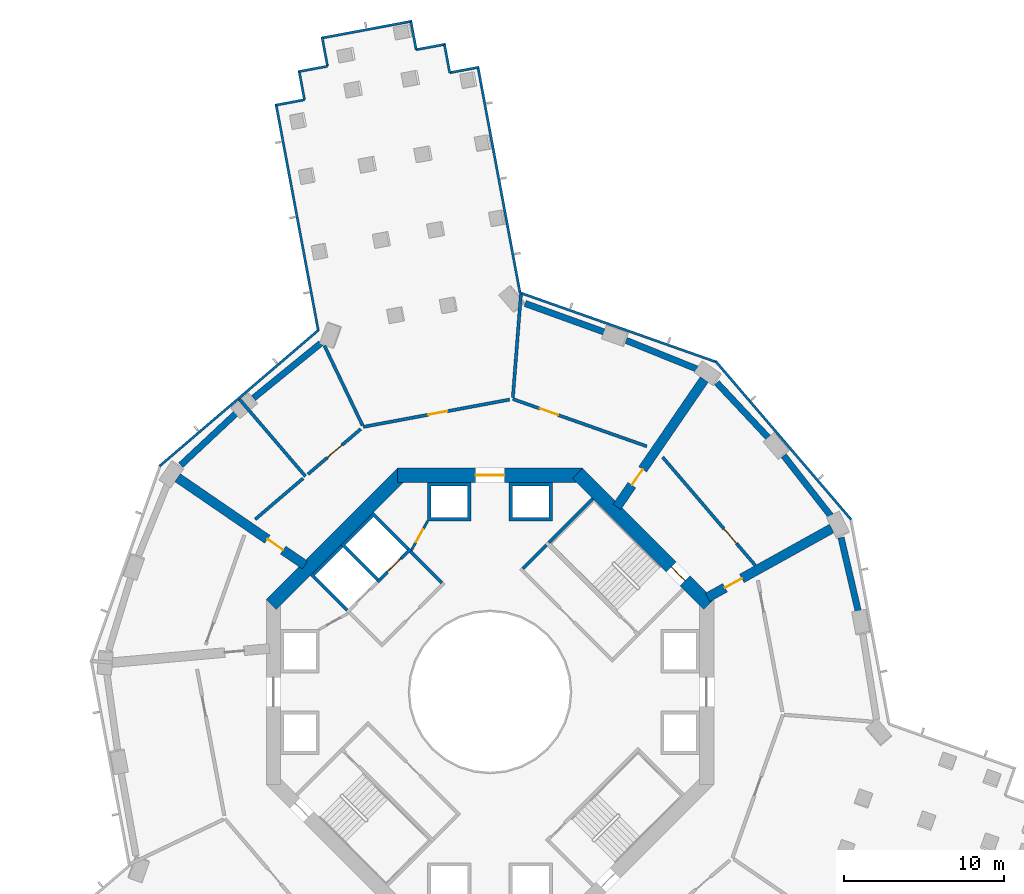
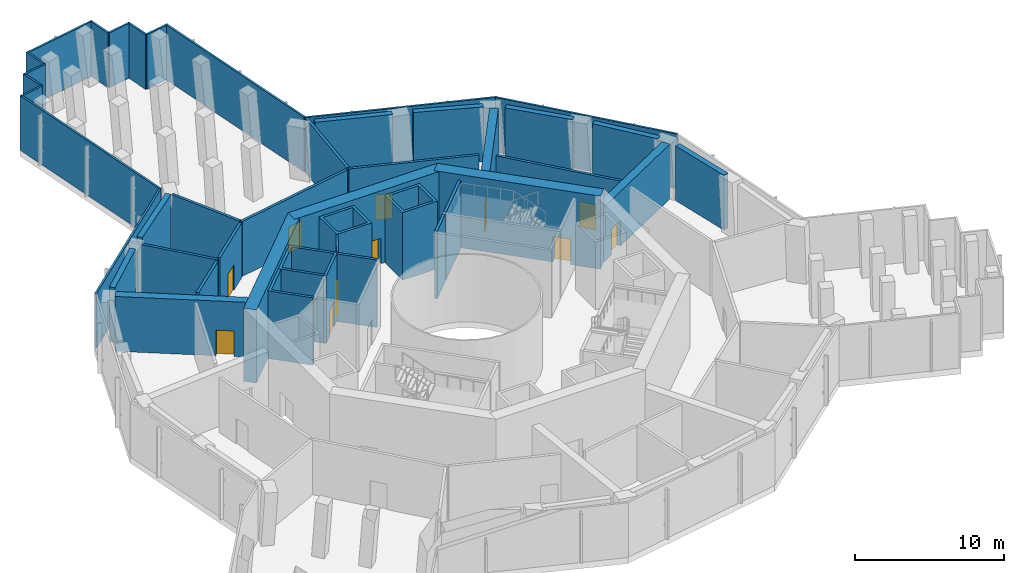
# One storey, part 5 of 20: 44 walls, 11 doors, 11 openings.
"""IFC4 building model written with IfcOpenShell, lengths in metres."""

from ifc_helpers import new_model, si_unit, direction, frame, frame_2d, origin, place, context, subcontext, project, spatial, polyline, rectangle, outline, extrude, material, layer, layer_set, type_object, element, fill, save


model = new_model("IFC4")

# Units and contexts
model_context = context("Model", 3, precision=1e-05, world=origin(), true_north=direction((0.0, 1.0)))
body_context = subcontext(model_context, "Body", "Model", "MODEL_VIEW")
ifc_project = project(units=[si_unit("LENGTHUNIT", "METRE"), si_unit("AREAUNIT", "SQUARE_METRE"), si_unit("VOLUMEUNIT", "CUBIC_METRE"), si_unit("PLANEANGLEUNIT", "RADIAN"), si_unit("MASSUNIT", "GRAM", prefix="KILO")], contexts=[model_context])

# Site, building, storey
site_placement = place(None, origin())
site = spatial("IfcSite", under=ifc_project, at=site_placement, CompositionType="ELEMENT")
building_placement = place(site_placement, origin())
building = spatial("IfcBuilding", under=site, at=building_placement, Name="Verdalira Terraces Hotel", CompositionType="ELEMENT")
storey_placement = place(building_placement, frame((0.0, 0.0, 75.0)))
storey = spatial("IfcBuildingStorey", under=building, at=storey_placement, Name="L17", CompositionType="ELEMENT", Elevation=75.0)

# Walls
ifc_material_1 = material(Name="Concrete C70", Category="concrete")
ifc_layer_1 = layer(ifc_material_1, 0.39990234375)
ifc_layer_set_1 = layer_set([ifc_layer_1], Name="Belt wall 400 C70")
wall_type_1 = type_object("IfcWallType", Name="Belt wall 400 C70", PredefinedType="SHEAR", material=ifc_layer_set_1)
wall_1_placement = place(storey_placement, frame((-10.587891, 21.815674, 0.0), z_axis=(0.0, 0.0, 1.0), x_axis=(-0.775345008, -0.6315379, 0.0)))
element("IfcWall", 1, at=wall_1_placement, inside=storey, type_object=wall_type_1, Name="Belt wall BW-17-1", PredefinedType="SHEAR", context=body_context, shape_type="SweptSolid", body=[
    extrude(rectangle(XDim=5.432617, YDim=0.399902, at=frame_2d((2.716309, 0.0))), origin(), (0.0, 0.0, 1.0), 4.5),
])
for number, where, z_axis, x_axis, name in (
    (2, (-15.876221, 17.444092, 0.0), (0.0, 0.0, 1.0), (-0.729873203, -0.683582553, 0.0), "Belt wall BW-17-2"),
    (3, (23.045166, 5.0271, 0.0), (0.0, 0.0, 1.0), (-0.227085229, 0.973874889, 0.0), "Belt wall BW-17-14"),
):
    element("IfcWall", number, at=place(storey_placement, frame(where, z_axis=z_axis, x_axis=x_axis)), inside=storey, type_object=wall_type_1, Name=name, PredefinedType="SHEAR", context=body_context, shape_type="SweptSolid", body=[
        extrude(rectangle(XDim=4.757324, YDim=0.399902, at=frame_2d((2.378662, 0.0))), origin(), (0.0, 0.0, 1.0), 4.5),
    ])
wall_2_placement = place(storey_placement, frame((21.307129, 11.0354, 0.0), z_axis=(0.0, 0.0, 1.0), x_axis=(-0.615609183, 0.788051606, 0.0)))
element("IfcWall", 4, at=wall_2_placement, inside=storey, type_object=wall_type_1, Name="Belt wall BW-17-15", PredefinedType="SHEAR", context=body_context, shape_type="SweptSolid", body=[
    extrude(rectangle(XDim=4.75708, YDim=0.399902, at=frame_2d((2.378418, 0.0))), origin(), (0.0, 0.0, 1.0), 4.5),
])
for number, where, z_axis, x_axis, name in (
    (5, (17.444092, 15.876221, 0.0), (0.0, 0.0, 1.0), (-0.683582553, 0.729873203, 0.0), "Belt wall BW-17-16"),
    (6, (12.935059, 20.210449, 0.0), (0.0, 0.0, 1.0), (-0.927150657, 0.374688749, 0.0), "Belt wall BW-17-17"),
):
    element("IfcWall", number, at=place(storey_placement, frame(where, z_axis=z_axis, x_axis=x_axis)), inside=storey, type_object=wall_type_1, Name=name, PredefinedType="SHEAR", context=body_context, shape_type="SweptSolid", body=[
        extrude(rectangle(XDim=4.757324, YDim=0.399902, at=frame_2d((2.378662, 0.0))), origin(), (0.0, 0.0, 1.0), 4.5),
    ])
wall_3_placement = place(storey_placement, frame((7.195801, 22.501221, 0.0), z_axis=(0.0, 0.0, 1.0), x_axis=(-0.940526573, 0.339720128, 0.0)))
element("IfcWall", 7, at=wall_3_placement, inside=storey, type_object=wall_type_1, Name="Belt wall BW-17-18", PredefinedType="SHEAR", context=body_context, shape_type="SweptSolid", body=[
    extrude(rectangle(XDim=5.312256, YDim=0.399902, at=frame_2d((2.65625, 0.0))), origin(), (0.0, 0.0, 1.0), 4.5),
])
ifc_material_2 = material(Name="Concrete C50", Category="concrete")
ifc_layer_2 = layer(ifc_material_2, 0.199951171875)
ifc_layer_set_2 = layer_set([ifc_layer_2], Name="Core RC wall 200 C50")
wall_type_2 = type_object("IfcWallType", Name="Core RC wall 200 C50", PredefinedType="SOLIDWALL", material=ifc_layer_set_2)
wall_4_placement = place(storey_placement, origin())
element("IfcWall", 8, at=wall_4_placement, inside=storey, type_object=wall_type_2, Name="L17 shaft wall N1", PredefinedType="SOLIDWALL", context=body_context, shape_type="SweptSolid", body=[
    extrude(outline(polyline([(1.199951, 13.100098), (3.899902, 13.100098), (3.899902, 10.699951), (1.199951, 10.699951), (1.199951, 13.100098)]), holes=[polyline([(3.699951, 10.899902), (3.699951, 12.899902), (1.399902, 12.899902), (1.399902, 10.899902), (3.699951, 10.899902)])]), origin(), (0.0, 0.0, 1.0), 5.550049),
])
wall_5_placement = place(storey_placement, origin())
element("IfcWall", 9, at=wall_5_placement, inside=storey, type_object=wall_type_2, Name="L17 shaft wall N2", PredefinedType="SOLIDWALL", context=body_context, shape_type="SweptSolid", body=[
    extrude(outline(polyline([(-3.899902, 10.699951), (-3.899902, 13.100098), (-1.199951, 13.100098), (-1.199951, 10.699951), (-3.899902, 10.699951)]), holes=[polyline([(-1.399902, 12.899902), (-3.699951, 12.899902), (-3.699951, 10.899902), (-1.399902, 10.899902), (-1.399902, 12.899902)])]), origin(), (0.0, 0.0, 1.0), 5.550049),
])
wall_6_placement = place(storey_placement, origin())
element("IfcWall", 10, at=wall_6_placement, inside=storey, type_object=wall_type_2, Name="L17 shaft wall F1", PredefinedType="SOLIDWALL", context=body_context, shape_type="SweptSolid", body=[
    extrude(outline(polyline([(-9.33374, 9.192383), (-7.283203, 11.24292), (-5.055908, 9.015625), (-5.197266, 8.874268), (-7.283203, 10.960205), (-9.051025, 9.192383), (-6.965088, 7.106445), (-7.106445, 6.965088), (-9.33374, 9.192383)])), origin(), (0.0, 0.0, 1.0), 5.550049),
])

# Wall, opening, door
wall_7_placement = place(storey_placement, frame((-4.985107, 8.944824, 0.0), z_axis=(0.0, 0.0, 1.0), x_axis=(-0.707106781, -0.707106781, 0.0)))
wall_7 = element("IfcWall", 11, at=wall_7_placement, inside=storey, type_object=wall_type_2, Name="L17 shaft front wall F1", PredefinedType="SOLIDWALL", context=body_context, shape_type="SweptSolid", body=[
    extrude(rectangle(XDim=2.899902, YDim=0.199951, at=frame_2d((1.449951, 0.0))), origin(), (0.0, 0.0, 1.0), 5.550049),
])
opening_1_placement = place(wall_7_placement, frame((0.850098, 0.0, 0.0)))
opening_1 = element("IfcOpeningElement", 12, at=opening_1_placement, cuts=wall_7, Name="Opening LD-L17-801", PredefinedType="OPENING", context=body_context, shape_type="SweptSolid", body=[
    extrude(rectangle(XDim=1.199951, YDim=2.100098, at=frame_2d((0.600098, 1.050049))), frame((0.0, 0.109863, 0.0), z_axis=(0.0, -1.0, 0.0), x_axis=(1.0, 0.0, 0.0)), (0.0, 0.0, 1.0), 0.219971),
])
ifc_material_3 = material(Name="Stainless steel", Category="steel")
door_type_1 = type_object("IfcDoorType", Name="Landing door 1200 x 2100", OperationType="NOTDEFINED", PredefinedType="DOOR", material=ifc_material_3)
door_1_placement = place(opening_1_placement, origin())
door_1 = element("IfcDoor", 13, at=door_1_placement, inside=storey, type_object=door_type_1, Name="Lift landing door LF11 L17", OperationType="DOUBLE_DOOR_SLIDING", OverallHeight=2.10009765625, OverallWidth=1.199951171875, PredefinedType="DOOR", context=body_context, shape_type="SweptSolid", body=[
    extrude(rectangle(XDim=1.199951, YDim=2.100098, at=frame_2d((0.600098, 1.050049))), frame((0.0, 0.024902, 0.0), z_axis=(0.0, -1.0, 0.0), x_axis=(1.0, 0.0, 0.0)), (0.0, 0.0, 1.0), 0.050049),
])
fill(opening_1, door_1)

# Walls
wall_8_placement = place(storey_placement, origin())
element("IfcWall", 14, at=wall_8_placement, inside=storey, type_object=wall_type_2, Name="L17 shaft wall F2", PredefinedType="SOLIDWALL", context=body_context, shape_type="SweptSolid", body=[
    extrude(outline(polyline([(-11.24292, 7.283203), (-9.33374, 9.192383), (-9.192383, 9.051025), (-10.960205, 7.283203), (-8.874268, 5.197266), (-9.015625, 5.055908), (-11.24292, 7.283203)])), origin(), (0.0, 0.0, 1.0), 5.550049),
])
wall_9_placement = place(storey_placement, frame((3.677002, 9.33374, 0.0), z_axis=(0.0, 0.0, 1.0), x_axis=(0.707106781, 0.707106781, 0.0)))
element("IfcWall", 15, at=wall_9_placement, inside=storey, type_object=wall_type_2, Name="L17 stair ST1 end wall 2", PredefinedType="SOLIDWALL", context=body_context, shape_type="SweptSolid", body=[
    extrude(rectangle(XDim=3.900146, YDim=0.199951, at=frame_2d((1.950195, 0.0))), origin(), (0.0, 0.0, 1.0), 5.550049),
])
wall_10_placement = place(storey_placement, frame((-3.005127, 6.823486, 0.0), z_axis=(0.0, 0.0, 1.0), x_axis=(-0.707106781, 0.707106781, 0.0)))
element("IfcWall", 16, at=wall_10_placement, inside=storey, type_object=wall_type_2, Name="L17 fire lobby wall", PredefinedType="SOLIDWALL", context=body_context, shape_type="SweptSolid", body=[
    extrude(rectangle(XDim=2.800049, YDim=0.199951, at=frame_2d((1.399902, 0.0))), origin(), (0.0, 0.0, 1.0), 5.550049),
])
wall_11_placement = place(storey_placement, frame((2.050537, 7.70752, 0.0), z_axis=(0.0, 0.0, 1.0), x_axis=(0.707106781, 0.707106781, 0.0)))
element("IfcWall", 17, at=wall_11_placement, inside=storey, type_object=wall_type_2, Name="Stair lobby wall ST1 L17", PredefinedType="SOLIDWALL", context=body_context, shape_type="SweptSolid", body=[
    extrude(rectangle(XDim=2.099854, YDim=0.199951, at=frame_2d((1.049805, 0.0))), origin(), (0.0, 0.0, 1.0), 5.550049),
])

# Wall, opening, door
ifc_material_4 = material(Name="Gypsum board partition")
ifc_layer_3 = layer(ifc_material_4, 0.14990234375)
ifc_layer_set_3 = layer_set([ifc_layer_3], Name="Core partition 150 mm")
wall_type_3 = type_object("IfcWallType", Name="Core partition 150 mm", PredefinedType="PARTITIONING", material=ifc_layer_set_3)
wall_12_placement = place(storey_placement, frame((-3.899902, 10.699951, 0.0), z_axis=(0.0, 0.0, 1.0), x_axis=(-0.485692555, -0.874129705, 0.0)))
wall_12 = element("IfcWall", 18, at=wall_12_placement, inside=storey, type_object=wall_type_3, Name="Room partition L17", PredefinedType="PARTITIONING", context=body_context, shape_type="SweptSolid", body=[
    extrude(rectangle(XDim=2.088623, YDim=0.149902, at=frame_2d((1.044434, 0.0))), origin(), (0.0, 0.0, 1.0), 5.550049),
])
opening_2_placement = place(wall_12_placement, frame((0.594238, 0.0, 0.0)))
opening_2 = element("IfcOpeningElement", 19, at=opening_2_placement, cuts=wall_12, Name="Opening L17-814", PredefinedType="OPENING", context=body_context, shape_type="SweptSolid", body=[
    extrude(rectangle(XDim=0.899902, YDim=2.100098, at=frame_2d((0.449951, 1.050049))), frame((0.0, 0.084961, 0.0), z_axis=(0.0, -1.0, 0.0), x_axis=(1.0, 0.0, 0.0)), (0.0, 0.0, 1.0), 0.169922),
])
ifc_material_5 = material(Name="Steel fire door", Category="steel")
door_type_2 = type_object("IfcDoorType", Name="Core room door 900 x 2100", OperationType="NOTDEFINED", PredefinedType="DOOR", material=ifc_material_5)
door_2_placement = place(opening_2_placement, origin())
door_2 = element("IfcDoor", 20, at=door_2_placement, inside=storey, type_object=door_type_2, Name="Door L17 room2", OperationType="SINGLE_SWING_LEFT", OverallHeight=2.10009765625, OverallWidth=0.89990234375, PredefinedType="DOOR", context=body_context, shape_type="SweptSolid", body=[
    extrude(rectangle(XDim=0.899902, YDim=2.100098, at=frame_2d((0.449951, 1.050049))), frame((0.0, 0.024902, 0.0), z_axis=(0.0, -1.0, 0.0), x_axis=(1.0, 0.0, 0.0)), (0.0, 0.0, 1.0), 0.050049),
])
fill(opening_2, door_2)

ifc_material_6 = material(Name="Concrete C70", Category="concrete")
ifc_layer_4 = layer(ifc_material_6, 0.89990234375)
ifc_layer_set_4 = layer_set([ifc_layer_4], Name="Core wall 900 C70")
wall_type_4 = type_object("IfcWallType", Name="Core wall 900 C70", PredefinedType="SHEAR", material=ifc_layer_set_4)
wall_13_placement = place(storey_placement, frame((13.681885, 5.480713, 0.0), z_axis=(0.0, 0.0, 1.0), x_axis=(-0.707106781, 0.707106781, 0.0)))
wall_13 = element("IfcWall", 21, at=wall_13_placement, inside=storey, type_object=wall_type_4, Name="Core wall CW-L17-2", PredefinedType="SHEAR", context=body_context, shape_type="SweptSolid", body=[
    extrude(rectangle(XDim=11.598145, YDim=0.899902, at=frame_2d((5.799072, 0.0))), origin(), (0.0, 0.0, 1.0), 6.0),
])
opening_3_placement = place(wall_13_placement, frame((2.099121, 0.0, 0.0)))
opening_3 = element("IfcOpeningElement", 22, at=opening_3_placement, cuts=wall_13, Name="Opening L17-810", PredefinedType="OPENING", context=body_context, shape_type="SweptSolid", body=[
    extrude(rectangle(XDim=1.199951, YDim=2.100098, at=frame_2d((0.600098, 1.050049))), frame((0.0, 0.459961, 0.0), z_axis=(0.0, -1.0, 0.0), x_axis=(1.0, 0.0, 0.0)), (0.0, 0.0, 1.0), 0.919922),
])
ifc_material_7 = material(Name="Steel fire door", Category="steel")
door_type_3 = type_object("IfcDoorType", Name="Stair door 1200 x 2100", OperationType="NOTDEFINED", PredefinedType="DOOR", material=ifc_material_7)
door_3_placement = place(opening_3_placement, origin())
door_3 = element("IfcDoor", 23, at=door_3_placement, inside=storey, type_object=door_type_3, Name="Stair exit door ST1 L17", OperationType="SINGLE_SWING_LEFT", OverallHeight=2.10009765625, OverallWidth=1.199951171875, PredefinedType="DOOR", context=body_context, shape_type="SweptSolid", body=[
    extrude(rectangle(XDim=1.199951, YDim=2.100098, at=frame_2d((0.600098, 1.050049))), frame((0.0, 0.024902, 0.0), z_axis=(0.0, -1.0, 0.0), x_axis=(1.0, 0.0, 0.0)), (0.0, 0.0, 1.0), 0.050049),
])
fill(opening_3, door_3)

wall_14_placement = place(storey_placement, frame((5.799072, 13.550049, 0.0), z_axis=(0.0, 0.0, 1.0), x_axis=(-1.0, 0.0, 0.0)))
wall_14 = element("IfcWall", 24, at=wall_14_placement, inside=storey, type_object=wall_type_4, Name="Core wall CW-L17-3", PredefinedType="SHEAR", context=body_context, shape_type="SweptSolid", body=[
    extrude(rectangle(XDim=11.598145, YDim=0.899902, at=frame_2d((5.799072, 0.0))), origin(), (0.0, 0.0, 1.0), 6.0),
])
opening_4_placement = place(wall_14_placement, frame((4.898926, 0.0, 0.0)))
opening_4 = element("IfcOpeningElement", 25, at=opening_4_placement, cuts=wall_14, Name="Opening L17-807", PredefinedType="OPENING", context=body_context, shape_type="SweptSolid", body=[
    extrude(rectangle(XDim=1.800049, YDim=2.100098, at=frame_2d((0.899902, 1.050049))), frame((0.0, 0.459961, 0.0), z_axis=(0.0, -1.0, 0.0), x_axis=(1.0, 0.0, 0.0)), (0.0, 0.0, 1.0), 0.919922),
])
ifc_material_8 = material(Name="Steel fire door", Category="steel")
door_type_4 = type_object("IfcDoorType", Name="Core entry door pair 1800 x 2100", OperationType="NOTDEFINED", PredefinedType="DOOR", material=ifc_material_8)
door_4_placement = place(opening_4_placement, origin())
door_4 = element("IfcDoor", 26, at=door_4_placement, inside=storey, type_object=door_type_4, Name="Core entry door L17 2", OperationType="DOUBLE_DOOR_SINGLE_SWING", OverallHeight=2.10009765625, OverallWidth=1.800048828125, PredefinedType="DOOR", context=body_context, shape_type="SweptSolid", body=[
    extrude(rectangle(XDim=1.800049, YDim=2.100098, at=frame_2d((0.899902, 1.050049))), frame((0.0, 0.024902, 0.0), z_axis=(0.0, -1.0, 0.0), x_axis=(1.0, 0.0, 0.0)), (0.0, 0.0, 1.0), 0.050049),
])
fill(opening_4, door_4)

# Wall
wall_15_placement = place(storey_placement, frame((-5.480713, 13.681885, 0.0), z_axis=(0.0, 0.0, 1.0), x_axis=(-0.707106781, -0.707106781, 0.0)))
element("IfcWall", 27, at=wall_15_placement, inside=storey, type_object=wall_type_4, Name="Core wall CW-L17-4", PredefinedType="SHEAR", context=body_context, shape_type="SweptSolid", body=[
    extrude(rectangle(XDim=11.598145, YDim=0.899902, at=frame_2d((5.799072, 0.0))), origin(), (0.0, 0.0, 1.0), 6.0),
])

# Wall, opening, door
ifc_material_9 = material(Name="Concrete C70", Category="concrete")
ifc_layer_5 = layer(ifc_material_9, 0.60009765625)
ifc_layer_set_5 = layer_set([ifc_layer_5], Name="Outrigger wall 600 C70")
wall_type_5 = type_object("IfcWallType", Name="Outrigger wall 600 C70", PredefinedType="SHEAR", material=ifc_layer_set_5)
wall_16_placement = place(storey_placement, frame((-11.580078, 7.940918, 0.0), z_axis=(0.0, 0.0, 1.0), x_axis=(-0.824719758, 0.565541617, 0.0)))
wall_16 = element("IfcWall", 28, at=wall_16_placement, inside=storey, type_object=wall_type_5, Name="Outrigger wall OW-17-1", PredefinedType="SHEAR", context=body_context, shape_type="SweptSolid", body=[
    extrude(rectangle(XDim=9.659912, YDim=0.600098, at=frame_2d((4.830078, 0.0))), origin(), (0.0, 0.0, 1.0), 4.5),
])
opening_5_placement = place(wall_16_placement, frame((1.649902, 0.0, 0.0)))
opening_5 = element("IfcOpeningElement", 29, at=opening_5_placement, cuts=wall_16, Name="Opening L17-101", PredefinedType="OPENING", context=body_context, shape_type="SweptSolid", body=[
    extrude(rectangle(XDim=1.199951, YDim=2.100098, at=frame_2d((0.600098, 1.050049))), frame((0.0, 0.310059, 0.0), z_axis=(0.0, -1.0, 0.0), x_axis=(1.0, 0.0, 0.0)), (0.0, 0.0, 1.0), 0.620117),
])
ifc_material_10 = material(Name="Steel fire door", Category="steel")
door_type_5 = type_object("IfcDoorType", Name="Plant room door 1200 x 2100", OperationType="NOTDEFINED", PredefinedType="DOOR", material=ifc_material_10)
door_5_placement = place(opening_5_placement, origin())
door_5 = element("IfcDoor", 30, at=door_5_placement, inside=storey, type_object=door_type_5, Name="Plant room door", OperationType="SINGLE_SWING_LEFT", OverallHeight=2.10009765625, OverallWidth=1.199951171875, PredefinedType="DOOR", context=body_context, shape_type="SweptSolid", body=[
    extrude(rectangle(XDim=1.199951, YDim=2.100098, at=frame_2d((0.600098, 1.050049))), frame((0.0, 0.024902, 0.0), z_axis=(0.0, -1.0, 0.0), x_axis=(1.0, 0.0, 0.0)), (0.0, 0.0, 1.0), 0.050049),
])
fill(opening_5, door_5)

wall_17_placement = place(storey_placement, frame((13.61377, 5.91333, 0.0), z_axis=(0.0, 0.0, 1.0), x_axis=(0.874286861, 0.485409605, 0.0)))
wall_17 = element("IfcWall", 31, at=wall_17_placement, inside=storey, type_object=wall_type_5, Name="Outrigger wall OW-17-5", PredefinedType="SHEAR", context=body_context, shape_type="SweptSolid", body=[
    extrude(rectangle(XDim=8.884766, YDim=0.600098, at=frame_2d((4.442383, 0.0))), origin(), (0.0, 0.0, 1.0), 4.5),
])
opening_6_placement = place(wall_17_placement, frame((1.25, 0.0, 0.0)))
opening_6 = element("IfcOpeningElement", 32, at=opening_6_placement, cuts=wall_17, Name="Opening L17-105", PredefinedType="OPENING", context=body_context, shape_type="SweptSolid", body=[
    extrude(rectangle(XDim=1.199951, YDim=2.100098, at=frame_2d((0.600098, 1.050049))), frame((0.0, 0.310059, 0.0), z_axis=(0.0, -1.0, 0.0), x_axis=(1.0, 0.0, 0.0)), (0.0, 0.0, 1.0), 0.620117),
])
door_6_placement = place(opening_6_placement, origin())
door_6 = element("IfcDoor", 33, at=door_6_placement, inside=storey, type_object=door_type_5, Name="Plant room door", OperationType="SINGLE_SWING_LEFT", OverallHeight=2.10009765625, OverallWidth=1.199951171875, PredefinedType="DOOR", context=body_context, shape_type="SweptSolid", body=[
    extrude(rectangle(XDim=1.199951, YDim=2.100098, at=frame_2d((0.600098, 1.050049))), frame((0.0, 0.024902, 0.0), z_axis=(0.0, -1.0, 0.0), x_axis=(1.0, 0.0, 0.0)), (0.0, 0.0, 1.0), 0.050049),
])
fill(opening_6, door_6)

wall_18_placement = place(storey_placement, frame((7.940918, 11.580078, 0.0), z_axis=(0.0, 0.0, 1.0), x_axis=(0.565541617, 0.824719758, 0.0)))
wall_18 = element("IfcWall", 34, at=wall_18_placement, inside=storey, type_object=wall_type_5, Name="Outrigger wall OW-17-6", PredefinedType="SHEAR", context=body_context, shape_type="SweptSolid", body=[
    extrude(rectangle(XDim=9.659912, YDim=0.600098, at=frame_2d((4.830078, 0.0))), origin(), (0.0, 0.0, 1.0), 4.5),
])
opening_7_placement = place(wall_18_placement, frame((1.649902, 0.0, 0.0)))
opening_7 = element("IfcOpeningElement", 35, at=opening_7_placement, cuts=wall_18, Name="Opening L17-106", PredefinedType="OPENING", context=body_context, shape_type="SweptSolid", body=[
    extrude(rectangle(XDim=1.199951, YDim=2.100098, at=frame_2d((0.600098, 1.050049))), frame((0.0, 0.310059, 0.0), z_axis=(0.0, -1.0, 0.0), x_axis=(1.0, 0.0, 0.0)), (0.0, 0.0, 1.0), 0.620117),
])
door_7_placement = place(opening_7_placement, origin())
door_7 = element("IfcDoor", 36, at=door_7_placement, inside=storey, type_object=door_type_5, Name="Plant room door", OperationType="SINGLE_SWING_LEFT", OverallHeight=2.10009765625, OverallWidth=1.199951171875, PredefinedType="DOOR", context=body_context, shape_type="SweptSolid", body=[
    extrude(rectangle(XDim=1.199951, YDim=2.100098, at=frame_2d((0.600098, 1.050049))), frame((0.0, 0.024902, 0.0), z_axis=(0.0, -1.0, 0.0), x_axis=(1.0, 0.0, 0.0)), (0.0, 0.0, 1.0), 0.050049),
])
fill(opening_7, door_7)

# Walls
ifc_material_11 = material(Name="Fire-rated concrete block wall", Category="concrete")
ifc_layer_6 = layer(ifc_material_11, 0.199951171875)
ifc_layer_set_6 = layer_set([ifc_layer_6], Name="Plant room wall 200 mm")
wall_type_6 = type_object("IfcWallType", Name="Plant room wall 200 mm", PredefinedType="SOLIDWALL", material=ifc_layer_set_6)
wall_19_placement = place(storey_placement, frame((-11.547363, 13.491455, 0.0), z_axis=(0.0, 0.0, 1.0), x_axis=(-0.650233927, 0.759734059, 0.0)))
element("IfcWall", 37, at=wall_19_placement, inside=storey, type_object=wall_type_6, Name="Plant room wall", PredefinedType="SOLIDWALL", context=body_context, shape_type="SweptSolid", body=[
    extrude(rectangle(XDim=6.349854, YDim=0.199951, at=frame_2d((3.174805, 0.0))), origin(), (0.0, 0.0, 1.0), 4.5),
])
wall_20_placement = place(storey_placement, frame((-11.699219, 13.361328, 0.0), z_axis=(0.0, 0.0, 1.0), x_axis=(-0.759716073, -0.650254941, 0.0)))
element("IfcWall", 38, at=wall_20_placement, inside=storey, type_object=wall_type_6, Name="Plant room wall", PredefinedType="SOLIDWALL", context=body_context, shape_type="SweptSolid", body=[
    extrude(rectangle(XDim=3.936523, YDim=0.199951, at=frame_2d((1.968262, 0.0))), origin(), (0.0, 0.0, 1.0), 4.5),
])

# Wall, opening, door
wall_21_placement = place(storey_placement, frame((-11.395264, 13.621582, 0.0), z_axis=(0.0, 0.0, 1.0), x_axis=(0.759742775, 0.650223742, 0.0)))
wall_21 = element("IfcWall", 39, at=wall_21_placement, inside=storey, type_object=wall_type_6, Name="Plant room wall", PredefinedType="SOLIDWALL", context=body_context, shape_type="SweptSolid", body=[
    extrude(rectangle(XDim=4.358154, YDim=0.199951, at=frame_2d((2.179199, 0.0))), origin(), (0.0, 0.0, 1.0), 4.5),
])
opening_8_placement = place(wall_21_placement, frame((1.600098, 0.0, 0.0)))
opening_8 = element("IfcOpeningElement", 40, at=opening_8_placement, cuts=wall_21, Name="Opening L17-108", PredefinedType="OPENING", context=body_context, shape_type="SweptSolid", body=[
    extrude(rectangle(XDim=1.199951, YDim=2.100098, at=frame_2d((0.600098, 1.050049))), frame((0.0, 0.109863, 0.0), z_axis=(0.0, -1.0, 0.0), x_axis=(1.0, 0.0, 0.0)), (0.0, 0.0, 1.0), 0.219971),
])
door_8_placement = place(opening_8_placement, origin())
door_8 = element("IfcDoor", 41, at=door_8_placement, inside=storey, type_object=door_type_5, Name="Plant room door 1702", OperationType="SINGLE_SWING_LEFT", OverallHeight=2.10009765625, OverallWidth=1.199951171875, PredefinedType="DOOR", context=body_context, shape_type="SweptSolid", body=[
    extrude(rectangle(XDim=1.199951, YDim=2.100098, at=frame_2d((0.600098, 1.050049))), frame((0.0, 0.024902, 0.0), z_axis=(0.0, -1.0, 0.0), x_axis=(1.0, 0.0, 0.0)), (0.0, 0.0, 1.0), 0.050049),
])
fill(opening_8, door_8)

# Wall
wall_22_placement = place(storey_placement, frame((-7.976807, 16.678955, 0.0), z_axis=(0.0, 0.0, 1.0), x_axis=(-0.431486765, 0.902119267, 0.0)))
element("IfcWall", 42, at=wall_22_placement, inside=storey, type_object=wall_type_6, Name="Plant room wall", PredefinedType="SOLIDWALL", context=body_context, shape_type="SweptSolid", body=[
    extrude(rectangle(XDim=5.525635, YDim=0.199951, at=frame_2d((2.762695, 0.0))), origin(), (0.0, 0.0, 1.0), 4.5),
])

# Wall, opening, door
wall_23_placement = place(storey_placement, frame((-7.932129, 16.585449, 0.0), z_axis=(0.0, 0.0, 1.0), x_axis=(0.983060939, 0.183278995, 0.0)))
wall_23 = element("IfcWall", 43, at=wall_23_placement, inside=storey, type_object=wall_type_6, Name="Plant room wall", PredefinedType="SOLIDWALL", context=body_context, shape_type="SweptSolid", body=[
    extrude(rectangle(XDim=9.316406, YDim=0.199951, at=frame_2d((4.658203, 0.0))), origin(), (0.0, 0.0, 1.0), 4.5),
])
opening_9_placement = place(wall_23_placement, frame((4.149902, 0.0, 0.0)))
opening_9 = element("IfcOpeningElement", 44, at=opening_9_placement, cuts=wall_23, Name="Opening L17-107", PredefinedType="OPENING", context=body_context, shape_type="SweptSolid", body=[
    extrude(rectangle(XDim=1.199951, YDim=2.100098, at=frame_2d((0.600098, 1.050049))), frame((0.0, 0.109863, 0.0), z_axis=(0.0, -1.0, 0.0), x_axis=(1.0, 0.0, 0.0)), (0.0, 0.0, 1.0), 0.219971),
])
door_9_placement = place(opening_9_placement, origin())
door_9 = element("IfcDoor", 45, at=door_9_placement, inside=storey, type_object=door_type_5, Name="Plant room door 1701", OperationType="SINGLE_SWING_LEFT", OverallHeight=2.10009765625, OverallWidth=1.199951171875, PredefinedType="DOOR", context=body_context, shape_type="SweptSolid", body=[
    extrude(rectangle(XDim=1.199951, YDim=2.100098, at=frame_2d((0.600098, 1.050049))), frame((0.0, 0.024902, 0.0), z_axis=(0.0, -1.0, 0.0), x_axis=(1.0, 0.0, 0.0)), (0.0, 0.0, 1.0), 0.050049),
])
fill(opening_9, door_9)

# Wall
wall_24_placement = place(storey_placement, frame((1.932617, 24.88916, 0.0), z_axis=(0.0, 0.0, 1.0), x_axis=(-0.077399934, -0.997000125, 0.0)))
element("IfcWall", 46, at=wall_24_placement, inside=storey, type_object=wall_type_6, Name="Plant room wall", PredefinedType="SOLIDWALL", context=body_context, shape_type="SweptSolid", body=[
    extrude(rectangle(XDim=6.47583, YDim=0.199951, at=frame_2d((3.237793, 0.0))), origin(), (0.0, 0.0, 1.0), 4.5),
])

# Wall, opening, door
wall_25_placement = place(storey_placement, frame((1.42334, 18.32959, 0.0), z_axis=(0.0, 0.0, 1.0), x_axis=(0.94298476, -0.33283591, 0.0)))
wall_25 = element("IfcWall", 47, at=wall_25_placement, inside=storey, type_object=wall_type_6, Name="Plant room wall", PredefinedType="SOLIDWALL", context=body_context, shape_type="SweptSolid", body=[
    extrude(rectangle(XDim=8.895264, YDim=0.199951, at=frame_2d((4.447754, 0.0))), origin(), (0.0, 0.0, 1.0), 4.5),
])
opening_10_placement = place(wall_25_placement, frame((1.800049, 0.0, 0.0)))
opening_10 = element("IfcOpeningElement", 48, at=opening_10_placement, cuts=wall_25, Name="Opening L17-118", PredefinedType="OPENING", context=body_context, shape_type="SweptSolid", body=[
    extrude(rectangle(XDim=1.199951, YDim=2.100098, at=frame_2d((0.600098, 1.050049))), frame((0.0, 0.109863, 0.0), z_axis=(0.0, -1.0, 0.0), x_axis=(1.0, 0.0, 0.0)), (0.0, 0.0, 1.0), 0.219971),
])
door_10_placement = place(opening_10_placement, origin())
door_10 = element("IfcDoor", 49, at=door_10_placement, inside=storey, type_object=door_type_5, Name="Plant room door 1712", OperationType="SINGLE_SWING_LEFT", OverallHeight=2.10009765625, OverallWidth=1.199951171875, PredefinedType="DOOR", context=body_context, shape_type="SweptSolid", body=[
    extrude(rectangle(XDim=1.199951, YDim=2.100098, at=frame_2d((0.600098, 1.050049))), frame((0.0, 0.024902, 0.0), z_axis=(0.0, -1.0, 0.0), x_axis=(1.0, 0.0, 0.0)), (0.0, 0.0, 1.0), 0.050049),
])
fill(opening_10, door_10)

wall_26_placement = place(storey_placement, frame((10.80127, 14.690186, 0.0), z_axis=(0.0, 0.0, 1.0), x_axis=(0.650257786, -0.759713638, 0.0)))
wall_26 = element("IfcWall", 50, at=wall_26_placement, inside=storey, type_object=wall_type_6, Name="Plant room wall", PredefinedType="SOLIDWALL", context=body_context, shape_type="SweptSolid", body=[
    extrude(rectangle(XDim=8.895264, YDim=0.199951, at=frame_2d((4.447754, 0.0))), origin(), (0.0, 0.0, 1.0), 4.5),
])
opening_11_placement = place(wall_26_placement, frame((5.899902, 0.0, 0.0)))
opening_11 = element("IfcOpeningElement", 51, at=opening_11_placement, cuts=wall_26, Name="Opening L17-117", PredefinedType="OPENING", context=body_context, shape_type="SweptSolid", body=[
    extrude(rectangle(XDim=1.199951, YDim=2.100098, at=frame_2d((0.600098, 1.050049))), frame((0.0, 0.109863, 0.0), z_axis=(0.0, -1.0, 0.0), x_axis=(1.0, 0.0, 0.0)), (0.0, 0.0, 1.0), 0.219971),
])
door_11_placement = place(opening_11_placement, origin())
door_11 = element("IfcDoor", 52, at=door_11_placement, inside=storey, type_object=door_type_5, Name="Plant room door 1711", OperationType="SINGLE_SWING_LEFT", OverallHeight=2.10009765625, OverallWidth=1.199951171875, PredefinedType="DOOR", context=body_context, shape_type="SweptSolid", body=[
    extrude(rectangle(XDim=1.199951, YDim=2.100098, at=frame_2d((0.600098, 1.050049))), frame((0.0, 0.024902, 0.0), z_axis=(0.0, -1.0, 0.0), x_axis=(1.0, 0.0, 0.0)), (0.0, 0.0, 1.0), 0.050049),
])
fill(opening_11, door_11)

# Walls
ifc_material_12 = material(Name="Terracotta cladding", Category="masonry")
ifc_layer_7 = layer(ifc_material_12, 0.14990234375)
ifc_layer_set_7 = layer_set([ifc_layer_7], Name="Terracotta clad wall 150")
wall_type_7 = type_object("IfcWallType", Name="Terracotta clad wall 150", PredefinedType="SOLIDWALL", material=ifc_layer_set_7)
wall_27_placement = place(storey_placement, frame((1.872559, 25.013672, 0.0), z_axis=(0.0, 0.0, 1.0), x_axis=(-0.183261185, 0.983064259, 0.0)))
element("IfcWall", 53, at=wall_27_placement, inside=storey, type_object=wall_type_7, Name="Terracotta cladding wall", PredefinedType="SOLIDWALL", context=body_context, shape_type="SweptSolid", body=[
    extrude(rectangle(XDim=14.306396, YDim=0.149902, at=frame_2d((7.15332, 0.0))), origin(), (0.0, 0.0, 1.0), 4.5),
])
wall_28_placement = place(storey_placement, frame((-0.675537, 39.091553, 0.0), z_axis=(0.0, 0.0, 1.0), x_axis=(-0.98305155, -0.183329349, 0.0)))
element("IfcWall", 54, at=wall_28_placement, inside=storey, type_object=wall_type_7, Name="Terracotta cladding wall", PredefinedType="SOLIDWALL", context=body_context, shape_type="SweptSolid", body=[
    extrude(rectangle(XDim=1.875, YDim=0.149902, at=frame_2d((0.9375, 0.0))), origin(), (0.0, 0.0, 1.0), 4.5),
])
wall_29_placement = place(storey_placement, frame((-2.518799, 38.747803, 0.0), z_axis=(0.0, 0.0, 1.0), x_axis=(-0.183240217, 0.983068168, 0.0)))
element("IfcWall", 55, at=wall_29_placement, inside=storey, type_object=wall_type_7, Name="Terracotta cladding wall", PredefinedType="SOLIDWALL", context=body_context, shape_type="SweptSolid", body=[
    extrude(rectangle(XDim=1.800049, YDim=0.149902, at=frame_2d((0.899902, 0.0))), origin(), (0.0, 0.0, 1.0), 4.5),
])
wall_30_placement = place(storey_placement, frame((-2.774902, 40.53125, 0.0), z_axis=(0.0, 0.0, 1.0), x_axis=(-0.98305155, -0.183329349, 0.0)))
element("IfcWall", 56, at=wall_30_placement, inside=storey, type_object=wall_type_7, Name="Terracotta cladding wall", PredefinedType="SOLIDWALL", context=body_context, shape_type="SweptSolid", body=[
    extrude(rectangle(XDim=1.875, YDim=0.149902, at=frame_2d((0.9375, 0.0))), origin(), (0.0, 0.0, 1.0), 4.5),
])
wall_31_placement = place(storey_placement, frame((-4.618164, 40.1875, 0.0), z_axis=(0.0, 0.0, 1.0), x_axis=(-0.183240217, 0.983068168, 0.0)))
element("IfcWall", 57, at=wall_31_placement, inside=storey, type_object=wall_type_7, Name="Terracotta cladding wall", PredefinedType="SOLIDWALL", context=body_context, shape_type="SweptSolid", body=[
    extrude(rectangle(XDim=1.800049, YDim=0.149902, at=frame_2d((0.899902, 0.0))), origin(), (0.0, 0.0, 1.0), 4.5),
])
wall_32_placement = place(storey_placement, frame((-4.874268, 41.970703, 0.0), z_axis=(0.0, 0.0, 1.0), x_axis=(-0.983068112, -0.183240519, 0.0)))
element("IfcWall", 58, at=wall_32_placement, inside=storey, type_object=wall_type_7, Name="Terracotta cladding wall", PredefinedType="SOLIDWALL", context=body_context, shape_type="SweptSolid", body=[
    extrude(rectangle(XDim=5.725098, YDim=0.149902, at=frame_2d((2.862549, 0.0))), origin(), (0.0, 0.0, 1.0), 4.5),
])
wall_33_placement = place(storey_placement, frame((-10.516113, 40.995361, 0.0), z_axis=(0.0, 0.0, 1.0), x_axis=(0.183203515, -0.983075008, 0.0)))
element("IfcWall", 59, at=wall_33_placement, inside=storey, type_object=wall_type_7, Name="Terracotta cladding wall", PredefinedType="SOLIDWALL", context=body_context, shape_type="SweptSolid", body=[
    extrude(rectangle(XDim=1.875, YDim=0.149902, at=frame_2d((0.9375, 0.0))), origin(), (0.0, 0.0, 1.0), 4.5),
])
wall_34_placement = place(storey_placement, frame((-10.172607, 39.1521, 0.0), z_axis=(0.0, 0.0, 1.0), x_axis=(-0.983063613, -0.183264653, 0.0)))
element("IfcWall", 60, at=wall_34_placement, inside=storey, type_object=wall_type_7, Name="Terracotta cladding wall", PredefinedType="SOLIDWALL", context=body_context, shape_type="SweptSolid", body=[
    extrude(rectangle(XDim=1.799805, YDim=0.149902, at=frame_2d((0.899902, 0.0))), origin(), (0.0, 0.0, 1.0), 4.5),
])
wall_35_placement = place(storey_placement, frame((-11.955811, 38.895996, 0.0), z_axis=(0.0, 0.0, 1.0), x_axis=(0.183329349, -0.98305155, 0.0)))
element("IfcWall", 61, at=wall_35_placement, inside=storey, type_object=wall_type_7, Name="Terracotta cladding wall", PredefinedType="SOLIDWALL", context=body_context, shape_type="SweptSolid", body=[
    extrude(rectangle(XDim=1.875, YDim=0.149902, at=frame_2d((0.9375, 0.0))), origin(), (0.0, 0.0, 1.0), 4.5),
])
wall_36_placement = place(storey_placement, frame((-11.612061, 37.052734, 0.0), z_axis=(0.0, 0.0, 1.0), x_axis=(-0.983068168, -0.183240217, 0.0)))
element("IfcWall", 62, at=wall_36_placement, inside=storey, type_object=wall_type_7, Name="Terracotta cladding wall", PredefinedType="SOLIDWALL", context=body_context, shape_type="SweptSolid", body=[
    extrude(rectangle(XDim=1.800049, YDim=0.149902, at=frame_2d((0.899902, 0.0))), origin(), (0.0, 0.0, 1.0), 4.5),
])
wall_37_placement = place(storey_placement, frame((-13.395508, 36.796631, 0.0), z_axis=(0.0, 0.0, 1.0), x_axis=(0.183277169, -0.98306128, 0.0)))
element("IfcWall", 63, at=wall_37_placement, inside=storey, type_object=wall_type_7, Name="Terracotta cladding wall", PredefinedType="SOLIDWALL", context=body_context, shape_type="SweptSolid", body=[
    extrude(rectangle(XDim=14.445068, YDim=0.149902, at=frame_2d((7.222656, 0.0))), origin(), (0.0, 0.0, 1.0), 4.5),
])
wall_38_placement = place(storey_placement, frame((-10.778076, 22.606934, 0.0), z_axis=(0.0, 0.0, 1.0), x_axis=(-0.759721378, -0.650248743, 0.0)))
element("IfcWall", 64, at=wall_38_placement, inside=storey, type_object=wall_type_7, Name="Terracotta cladding wall", PredefinedType="SOLIDWALL", context=body_context, shape_type="SweptSolid", body=[
    extrude(rectangle(XDim=13.046387, YDim=0.149902, at=frame_2d((6.523193, 0.0))), origin(), (0.0, 0.0, 1.0), 4.5),
])
wall_39_placement = place(storey_placement, frame((22.599365, 10.786865, 0.0), z_axis=(0.0, 0.0, 1.0), x_axis=(-0.650246716, 0.759723113, 0.0)))
element("IfcWall", 65, at=wall_39_placement, inside=storey, type_object=wall_type_7, Name="Terracotta cladding wall", PredefinedType="SOLIDWALL", context=body_context, shape_type="SweptSolid", body=[
    extrude(rectangle(XDim=13.034912, YDim=0.149902, at=frame_2d((6.517578, 0.0))), origin(), (0.0, 0.0, 1.0), 4.5),
])
wall_40_placement = place(storey_placement, frame((14.178223, 20.641357, 0.0), z_axis=(0.0, 0.0, 1.0), x_axis=(-0.942991712, 0.332816211, 0.0)))
element("IfcWall", 66, at=wall_40_placement, inside=storey, type_object=wall_type_7, Name="Terracotta cladding wall", PredefinedType="SOLIDWALL", context=body_context, shape_type="SweptSolid", body=[
    extrude(rectangle(XDim=13.074951, YDim=0.149902, at=frame_2d((6.537598, 0.0))), origin(), (0.0, 0.0, 1.0), 4.5),
])

save(model, "model.ifc")
